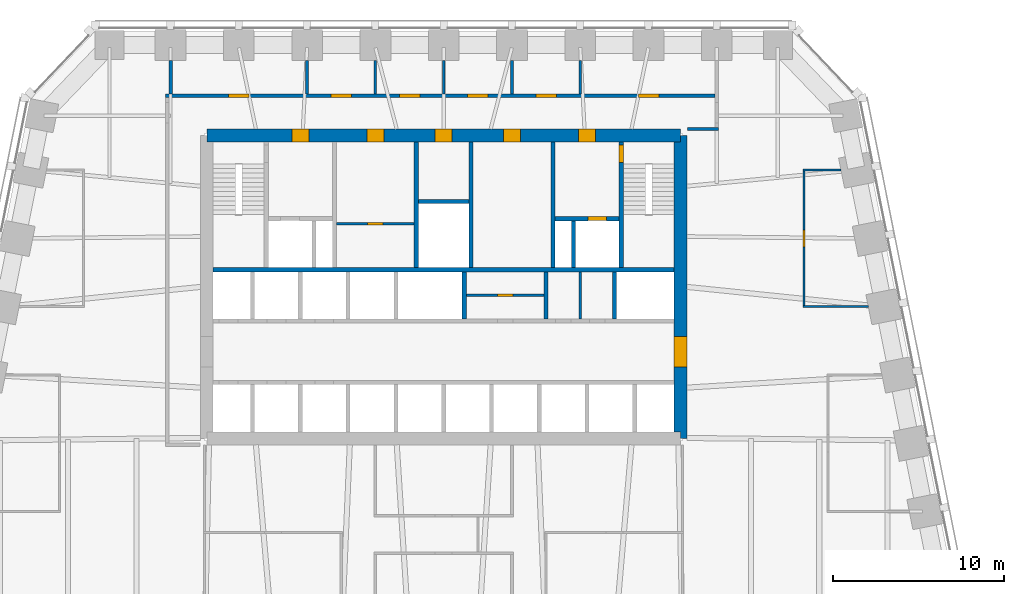
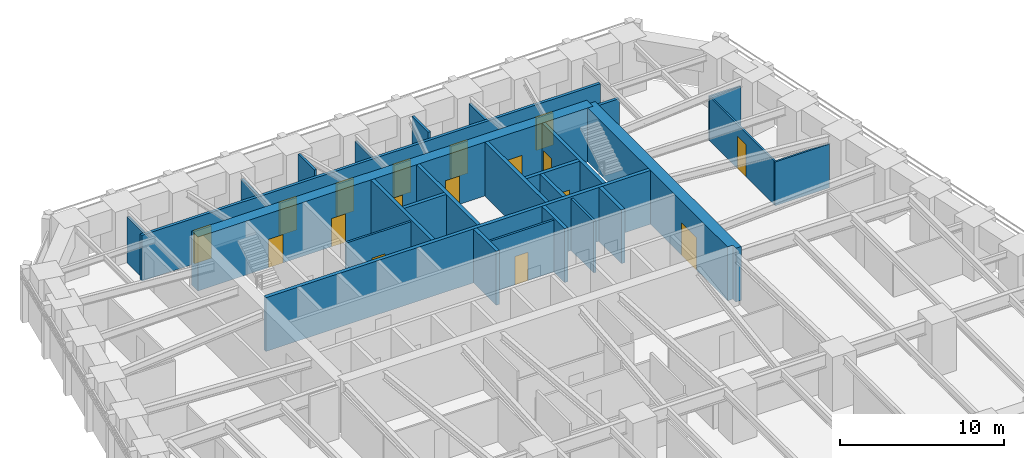
# One storey, part 7 of 10: 27 walls, 17 doors, 17 openings.
"""IFC4 building model written with IfcOpenShell, lengths in metres."""

from ifc_helpers import new_model, si_unit, direction, frame, frame_2d, origin, place, context, subcontext, project, spatial, polyline, rectangle, outline, extrude, material, layer, layer_set, type_object, element, fill, save


model = new_model("IFC4")

# Units and contexts
model_context = context("Model", 3, precision=1e-05, world=origin(), true_north=direction((0.0, 1.0)))
body_context = subcontext(model_context, "Body", "Model", "MODEL_VIEW")
ifc_project = project(units=[si_unit("LENGTHUNIT", "METRE"), si_unit("AREAUNIT", "SQUARE_METRE"), si_unit("VOLUMEUNIT", "CUBIC_METRE"), si_unit("PLANEANGLEUNIT", "RADIAN"), si_unit("MASSUNIT", "GRAM", prefix="KILO")], contexts=[model_context])

# Site, building, storey
site_placement = place(None, origin())
site = spatial("IfcSite", under=ifc_project, at=site_placement, CompositionType="ELEMENT")
building_placement = place(site_placement, origin())
building = spatial("IfcBuilding", under=site, at=building_placement, Name="Isbrekke Arena Tower", CompositionType="ELEMENT")
storey_placement = place(building_placement, frame((0.0, 0.0, 143.0)))
storey = spatial("IfcBuildingStorey", under=building, at=storey_placement, Name="L32", CompositionType="ELEMENT", Elevation=143.0)

# Wall, opening, door
ifc_material_1 = material(Name="Concrete B55 (C55/67)", Category="concrete")
ifc_layer_1 = layer(ifc_material_1, 0.75)
ifc_layer_set_1 = layer_set([ifc_layer_1], Name="CW3 CORE WALL 750")
wall_type_1 = type_object("IfcWallType", Name="CW3 CORE WALL 750", PredefinedType="SHEAR", material=ifc_layer_set_1)
wall_1_placement = place(storey_placement, frame((13.875, 6.125, 0.0), z_axis=(0.0, 0.0, 1.0), x_axis=(0.0, 1.0, 0.0)))
wall_1 = element("IfcWall", 1, at=wall_1_placement, inside=storey, type_object=wall_type_1, Name="Core wall E L32", PredefinedType="SHEAR", context=body_context, shape_type="SweptSolid", body=[
    extrude(outline(polyline([(0.0, -0.375), (17.75, -0.375), (17.75, 0.0), (17.375, 0.0), (17.375, 0.375), (0.375, 0.375), (0.375, 0.0), (0.0, 0.0), (0.0, -0.375)])), origin(), (0.0, 0.0, 1.0), 4.0),
])
opening_1_placement = place(wall_1_placement, frame((4.175048828125, 0.0, 0.0)))
opening_1 = element("IfcOpeningElement", 2, at=opening_1_placement, cuts=wall_1, Name="Opening D1", PredefinedType="OPENING", context=body_context, shape_type="SweptSolid", body=[
    extrude(rectangle(XDim=1.800048828125, YDim=2.39990234375, at=frame_2d((0.89990234375, 1.199951171875))), frame((0.0, 0.389892578125, 0.0), z_axis=(0.0, -1.0, 0.0), x_axis=(1.0, 0.0, 0.0)), (0.0, 0.0, 1.0), 0.77978515625),
])
ifc_material_2 = material(Name="Steel-framed glazed fire door", Category="steel")
door_type_1 = type_object("IfcDoorType", Name="D1 CORE LOBBY DOOR 1800 x 2400", OperationType="DOUBLE_DOOR_SINGLE_SWING", PredefinedType="DOOR", material=ifc_material_2)
door_1_placement = place(opening_1_placement, origin())
door_1 = element("IfcDoor", 3, at=door_1_placement, inside=storey, type_object=door_type_1, Name="D1 lift lobby door east L32", OperationType="DOUBLE_DOOR_SINGLE_SWING", OverallHeight=2.39990234375, OverallWidth=1.800048828125, PredefinedType="DOOR", context=body_context, shape_type="SweptSolid", body=[
    extrude(rectangle(XDim=1.800048828125, YDim=2.39990234375, at=frame_2d((0.89990234375, 1.199951171875))), frame((0.0, 0.374755859375, 0.0), z_axis=(0.0, -1.0, 0.0), x_axis=(1.0, 0.0, 0.0)), (0.0, 0.0, 1.0), 0.74951171875),
])
fill(opening_1, door_1)

# Wall, openings, doors
wall_2_placement = place(storey_placement, frame((13.875, 23.875, 0.0), z_axis=(0.0, 0.0, 1.0), x_axis=(-1.0, 0.0, 0.0)))
wall_2 = element("IfcWall", 4, at=wall_2_placement, inside=storey, type_object=wall_type_1, Name="Core wall N L32", PredefinedType="SHEAR", context=body_context, shape_type="SweptSolid", body=[
    extrude(rectangle(XDim=27.75, YDim=0.75, at=frame_2d((13.875, 0.0))), origin(), (0.0, 0.0, 1.0), 4.0),
])
opening_2_placement = place(wall_2_placement, frame((21.77490234375, 0.0, 0.0)))
opening_2 = element("IfcOpeningElement", 5, at=opening_2_placement, cuts=wall_2, Name="Opening D3", PredefinedType="OPENING", context=body_context, shape_type="SweptSolid", body=[
    extrude(rectangle(XDim=1.0, YDim=2.10009765625, at=frame_2d((0.5, 1.050048828125))), frame((0.0, 0.389892578125, 0.0), z_axis=(0.0, -1.0, 0.0), x_axis=(1.0, 0.0, 0.0)), (0.0, 0.0, 1.0), 0.77978515625),
])
opening_3_placement = place(wall_2_placement, frame((4.97509765625, 0.0, 0.0)))
opening_3 = element("IfcOpeningElement", 6, at=opening_3_placement, cuts=wall_2, Name="Opening D3", PredefinedType="OPENING", context=body_context, shape_type="SweptSolid", body=[
    extrude(rectangle(XDim=1.0, YDim=2.10009765625, at=frame_2d((0.5, 1.050048828125))), frame((0.0, 0.389892578125, 0.0), z_axis=(0.0, -1.0, 0.0), x_axis=(1.0, 0.0, 0.0)), (0.0, 0.0, 1.0), 0.77978515625),
])
opening_4_placement = place(wall_2_placement, frame((17.375, 0.0, 0.0)))
opening_4 = element("IfcOpeningElement", 7, at=opening_4_placement, cuts=wall_2, Name="Opening D4", PredefinedType="OPENING", context=body_context, shape_type="SweptSolid", body=[
    extrude(rectangle(XDim=1.0, YDim=2.10009765625, at=frame_2d((0.5, 1.050048828125))), frame((0.0, 0.389892578125, 0.0), z_axis=(0.0, -1.0, 0.0), x_axis=(1.0, 0.0, 0.0)), (0.0, 0.0, 1.0), 0.77978515625),
])
opening_5_placement = place(wall_2_placement, frame((13.375, 0.0, 0.0)))
opening_5 = element("IfcOpeningElement", 8, at=opening_5_placement, cuts=wall_2, Name="Opening D4", PredefinedType="OPENING", context=body_context, shape_type="SweptSolid", body=[
    extrude(rectangle(XDim=1.0, YDim=2.10009765625, at=frame_2d((0.5, 1.050048828125))), frame((0.0, 0.389892578125, 0.0), z_axis=(0.0, -1.0, 0.0), x_axis=(1.0, 0.0, 0.0)), (0.0, 0.0, 1.0), 0.77978515625),
])
opening_6_placement = place(wall_2_placement, frame((9.375, 0.0, 0.0)))
opening_6 = element("IfcOpeningElement", 9, at=opening_6_placement, cuts=wall_2, Name="Opening D4", PredefinedType="OPENING", context=body_context, shape_type="SweptSolid", body=[
    extrude(rectangle(XDim=1.0, YDim=2.10009765625, at=frame_2d((0.5, 1.050048828125))), frame((0.0, 0.389892578125, 0.0), z_axis=(0.0, -1.0, 0.0), x_axis=(1.0, 0.0, 0.0)), (0.0, 0.0, 1.0), 0.77978515625),
])
ifc_material_3 = material(Name="Steel fire door", Category="steel")
door_type_2 = type_object("IfcDoorType", Name="D3 FIRE LOBBY DOOR 1000 x 2100", OperationType="SINGLE_SWING_RIGHT", PredefinedType="DOOR", material=ifc_material_3)
door_2_placement = place(opening_2_placement, origin())
door_2 = element("IfcDoor", 10, at=door_2_placement, inside=storey, type_object=door_type_2, Name="D3 fire-fighting lobby door L32", OperationType="SINGLE_SWING_RIGHT", OverallHeight=2.10009765625, OverallWidth=1.0, PredefinedType="DOOR", context=body_context, shape_type="SweptSolid", body=[
    extrude(rectangle(XDim=1.0, YDim=2.10009765625, at=frame_2d((0.5, 1.050048828125))), frame((0.0, 0.374755859375, 0.0), z_axis=(0.0, -1.0, 0.0), x_axis=(1.0, 0.0, 0.0)), (0.0, 0.0, 1.0), 0.74951171875),
])
fill(opening_2, door_2)
door_3_placement = place(opening_3_placement, origin())
door_3 = element("IfcDoor", 11, at=door_3_placement, inside=storey, type_object=door_type_2, Name="D3 fire-fighting lobby door L32", OperationType="SINGLE_SWING_RIGHT", OverallHeight=2.10009765625, OverallWidth=1.0, PredefinedType="DOOR", context=body_context, shape_type="SweptSolid", body=[
    extrude(rectangle(XDim=1.0, YDim=2.10009765625, at=frame_2d((0.5, 1.050048828125))), frame((0.0, 0.374755859375, 0.0), z_axis=(0.0, -1.0, 0.0), x_axis=(1.0, 0.0, 0.0)), (0.0, 0.0, 1.0), 0.74951171875),
])
fill(opening_3, door_3)
ifc_material_4 = material(Name="Timber door", Category="wood")
door_type_3 = type_object("IfcDoorType", Name="D4 WC DOOR 1000 x 2100", OperationType="SINGLE_SWING_LEFT", PredefinedType="DOOR", material=ifc_material_4)
door_4_placement = place(opening_4_placement, origin())
door_4 = element("IfcDoor", 12, at=door_4_placement, inside=storey, type_object=door_type_3, Name="D4 wc female door L32", OperationType="SINGLE_SWING_LEFT", OverallHeight=2.10009765625, OverallWidth=1.0, PredefinedType="DOOR", context=body_context, shape_type="SweptSolid", body=[
    extrude(rectangle(XDim=1.0, YDim=2.10009765625, at=frame_2d((0.5, 1.050048828125))), frame((0.0, 0.374755859375, 0.0), z_axis=(0.0, -1.0, 0.0), x_axis=(1.0, 0.0, 0.0)), (0.0, 0.0, 1.0), 0.74951171875),
])
fill(opening_4, door_4)
door_5_placement = place(opening_5_placement, origin())
door_5 = element("IfcDoor", 13, at=door_5_placement, inside=storey, type_object=door_type_3, Name="D4 accessible wc door L32", OperationType="SINGLE_SWING_LEFT", OverallHeight=2.10009765625, OverallWidth=1.0, PredefinedType="DOOR", context=body_context, shape_type="SweptSolid", body=[
    extrude(rectangle(XDim=1.0, YDim=2.10009765625, at=frame_2d((0.5, 1.050048828125))), frame((0.0, 0.374755859375, 0.0), z_axis=(0.0, -1.0, 0.0), x_axis=(1.0, 0.0, 0.0)), (0.0, 0.0, 1.0), 0.74951171875),
])
fill(opening_5, door_5)
door_6_placement = place(opening_6_placement, origin())
door_6 = element("IfcDoor", 14, at=door_6_placement, inside=storey, type_object=door_type_3, Name="D4 wc male door L32", OperationType="SINGLE_SWING_LEFT", OverallHeight=2.10009765625, OverallWidth=1.0, PredefinedType="DOOR", context=body_context, shape_type="SweptSolid", body=[
    extrude(rectangle(XDim=1.0, YDim=2.10009765625, at=frame_2d((0.5, 1.050048828125))), frame((0.0, 0.374755859375, 0.0), z_axis=(0.0, -1.0, 0.0), x_axis=(1.0, 0.0, 0.0)), (0.0, 0.0, 1.0), 0.74951171875),
])
fill(opening_6, door_6)

# Walls
ifc_material_5 = material(Name="Concrete B45 (C45/55)", Category="concrete")
ifc_layer_2 = layer(ifc_material_5, 0.25)
ifc_layer_set_2 = layer_set([ifc_layer_2], Name="CW6 SHAFT WALL 250")
wall_type_2 = type_object("IfcWallType", Name="CW6 SHAFT WALL 250", PredefinedType="SHEAR", material=ifc_layer_set_2)
wall_3_placement = place(storey_placement, frame((-13.5, 16.0, 0.0), z_axis=(0.0, 0.0, 1.0), x_axis=(1.0, 0.0, 0.0)))
element("IfcWall", 15, at=wall_3_placement, inside=storey, type_object=wall_type_2, Name="Core wall NB L32", PredefinedType="SHEAR", context=body_context, shape_type="SweptSolid", body=[
    extrude(rectangle(XDim=27.0, YDim=0.25, at=frame_2d((13.5, 0.0))), origin(), (0.0, 0.0, 1.0), 4.0),
])
for number, where, z_axis, x_axis, name in (
    (16, (1.199951171875, 13.125, 0.0), (0.0, 0.0, 1.0), (0.0, 1.0, 0.0), "Core wall SN05 L32"),
    (17, (6.0, 13.125, 0.0), (0.0, 0.0, 1.0), (0.0, 1.0, 0.0), "Core wall SN06 L32"),
    (18, (10.0, 13.125, 0.0), (0.0, 0.0, 1.0), (0.0, 1.0, 0.0), "Core wall SN07 L32"),
):
    element("IfcWall", number, at=place(storey_placement, frame(where, z_axis=z_axis, x_axis=x_axis)), inside=storey, type_object=wall_type_2, Name=name, PredefinedType="SHEAR", context=body_context, shape_type="SweptSolid", body=[
        extrude(rectangle(XDim=2.75, YDim=0.25, at=frame_2d((1.375, 0.0))), origin(), (0.0, 0.0, 1.0), 4.0),
    ])
for number, where, z_axis, x_axis, name in (
    (19, (-1.60009765625, 16.125, 0.0), (0.0, 0.0, 1.0), (0.0, 1.0, 0.0), "Core wall NV03 L32"),
    (20, (1.60009765625, 16.125, 0.0), (0.0, 0.0, 1.0), (0.0, 1.0, 0.0), "Core wall NV04 L32"),
    (21, (6.39990234375, 16.125, 0.0), (0.0, 0.0, 1.0), (0.0, 1.0, 0.0), "Core wall NV05 L32"),
):
    element("IfcWall", number, at=place(storey_placement, frame(where, z_axis=z_axis, x_axis=x_axis)), inside=storey, type_object=wall_type_2, Name=name, PredefinedType="SHEAR", context=body_context, shape_type="SweptSolid", body=[
        extrude(rectangle(XDim=7.375, YDim=0.25, at=frame_2d((3.6875, 0.0))), origin(), (0.0, 0.0, 1.0), 4.0),
    ])

# Wall, opening, door
wall_4_placement = place(storey_placement, frame((10.39990234375, 16.125, 0.0), z_axis=(0.0, 0.0, 1.0), x_axis=(0.0, 1.0, 0.0)))
wall_4 = element("IfcWall", 22, at=wall_4_placement, inside=storey, type_object=wall_type_2, Name="Core wall NV06 L32", PredefinedType="SHEAR", context=body_context, shape_type="SweptSolid", body=[
    extrude(rectangle(XDim=7.375, YDim=0.25, at=frame_2d((3.6875, 0.0))), origin(), (0.0, 0.0, 1.0), 4.0),
])
opening_7_placement = place(wall_4_placement, frame((6.175048828125, 0.0, 0.0)))
opening_7 = element("IfcOpeningElement", 23, at=opening_7_placement, cuts=wall_4, Name="Opening D2", PredefinedType="OPENING", context=body_context, shape_type="SweptSolid", body=[
    extrude(rectangle(XDim=1.0, YDim=2.10009765625, at=frame_2d((0.5, 1.050048828125))), frame((0.0, 0.139892578125, 0.0), z_axis=(0.0, -1.0, 0.0), x_axis=(1.0, 0.0, 0.0)), (0.0, 0.0, 1.0), 0.27978515625),
])
ifc_material_6 = material(Name="Steel fire door", Category="steel")
door_type_4 = type_object("IfcDoorType", Name="D2 STAIR DOOR 1000 x 2100", OperationType="SINGLE_SWING_LEFT", PredefinedType="DOOR", material=ifc_material_6)
door_7_placement = place(opening_7_placement, origin())
door_7 = element("IfcDoor", 24, at=door_7_placement, inside=storey, type_object=door_type_4, Name="D2 stair door ST2 L32", OperationType="SINGLE_SWING_LEFT", OverallHeight=2.10009765625, OverallWidth=1.0, PredefinedType="DOOR", context=body_context, shape_type="SweptSolid", body=[
    extrude(rectangle(XDim=1.0, YDim=2.10009765625, at=frame_2d((0.5, 1.050048828125))), frame((0.0, 0.124755859375, 0.0), z_axis=(0.0, -1.0, 0.0), x_axis=(1.0, 0.0, 0.0)), (0.0, 0.0, 1.0), 0.24951171875),
])
fill(opening_7, door_7)

wall_5_placement = place(storey_placement, frame((6.52490234375, 19.0, 0.0), z_axis=(0.0, 0.0, 1.0), x_axis=(1.0, 0.0, 0.0)))
wall_5 = element("IfcWall", 25, at=wall_5_placement, inside=storey, type_object=wall_type_2, Name="Core wall NFE L32", PredefinedType="SHEAR", context=body_context, shape_type="SweptSolid", body=[
    extrude(rectangle(XDim=3.75, YDim=0.25, at=frame_2d((1.875, 0.0))), origin(), (0.0, 0.0, 1.0), 4.0),
])
opening_8_placement = place(wall_5_placement, frame((1.925048828125, 0.0, 0.0)))
opening_8 = element("IfcOpeningElement", 26, at=opening_8_placement, cuts=wall_5, Name="Opening LD2", PredefinedType="OPENING", context=body_context, shape_type="SweptSolid", body=[
    extrude(rectangle(XDim=1.10009765625, YDim=2.10009765625, at=frame_2d((0.550048828125, 1.050048828125))), frame((0.0, 0.139892578125, 0.0), z_axis=(0.0, -1.0, 0.0), x_axis=(1.0, 0.0, 0.0)), (0.0, 0.0, 1.0), 0.27978515625),
])
ifc_material_7 = material(Name="Stainless steel lift landing door", Category="steel")
door_type_5 = type_object("IfcDoorType", Name="LD2 FIRE-FIGHTING LIFT LANDING DOOR 1100 x 2100", OperationType="SLIDING_TO_RIGHT", PredefinedType="DOOR", material=ifc_material_7)
door_8_placement = place(opening_8_placement, origin())
door_8 = element("IfcDoor", 27, at=door_8_placement, inside=storey, type_object=door_type_5, Name="LD2 lift landing door LF L32", OperationType="SLIDING_TO_RIGHT", OverallHeight=2.10009765625, OverallWidth=1.10009765625, PredefinedType="DOOR", context=body_context, shape_type="SweptSolid", body=[
    extrude(rectangle(XDim=1.10009765625, YDim=2.10009765625, at=frame_2d((0.550048828125, 1.050048828125))), frame((0.0, 0.124755859375, 0.0), z_axis=(0.0, -1.0, 0.0), x_axis=(1.0, 0.0, 0.0)), (0.0, 0.0, 1.0), 0.24951171875),
])
fill(opening_8, door_8)

# Walls
wall_6_placement = place(storey_placement, frame((7.60009765625, 16.125, 0.0), z_axis=(0.0, 0.0, 1.0), x_axis=(0.0, 1.0, 0.0)))
element("IfcWall", 28, at=wall_6_placement, inside=storey, type_object=wall_type_2, Name="Core wall NFS2 L32", PredefinedType="SHEAR", context=body_context, shape_type="SweptSolid", body=[
    extrude(rectangle(XDim=2.75, YDim=0.25, at=frame_2d((1.375, 0.0))), origin(), (0.0, 0.0, 1.0), 4.0),
])
wall_7_placement = place(storey_placement, frame((-1.47509765625, 20.0, 0.0), z_axis=(0.0, 0.0, 1.0), x_axis=(1.0, 0.0, 0.0)))
element("IfcWall", 29, at=wall_7_placement, inside=storey, type_object=wall_type_2, Name="Core wall NWC L32", PredefinedType="SHEAR", context=body_context, shape_type="SweptSolid", body=[
    extrude(rectangle(XDim=2.9501953125, YDim=0.25, at=frame_2d((1.47509765625, 0.0))), origin(), (0.0, 0.0, 1.0), 4.0),
])
ifc_material_8 = material(Name="Gypsum board partition on steel studs", Category="steel")
ifc_layer_3 = layer(ifc_material_8, 0.14990234375)
ifc_layer_set_3 = layer_set([ifc_layer_3], Name="IW1 PARTITION 150")
wall_type_3 = type_object("IfcWallType", Name="IW1 PARTITION 150", PredefinedType="PARTITIONING", material=ifc_layer_set_3)
wall_8_placement = place(storey_placement, frame((-4.0, 26.300048828125, 0.0), z_axis=(0.0, 0.0, 1.0), x_axis=(0.0, 1.0, 0.0)))
element("IfcWall", 30, at=wall_8_placement, inside=storey, type_object=wall_type_3, Name="IW1 partition 150 L32", PredefinedType="PARTITIONING", context=body_context, shape_type="SweptSolid", body=[
    extrude(rectangle(XDim=1.974853515625, YDim=0.14990234375, at=frame_2d((0.9873046875, 0.0))), origin(), (0.0, 0.0, 1.0), 3.85009765625),
])
wall_9_placement = place(storey_placement, frame((0.0, 26.300048828125, 0.0), z_axis=(0.0, 0.0, 1.0), x_axis=(0.0, 1.0, 0.0)))
element("IfcWall", 31, at=wall_9_placement, inside=storey, type_object=wall_type_3, Name="IW1 partition 150 L32", PredefinedType="PARTITIONING", context=body_context, shape_type="SweptSolid", body=[
    extrude(rectangle(XDim=1.974853515625, YDim=0.14990234375, at=frame_2d((0.9873046875, 0.0))), origin(), (0.0, 0.0, 1.0), 3.39990234375),
])
ifc_material_9 = material(Name="Frameless glazed partition, laminated acoustic glass", Category="glass")
ifc_layer_4 = layer(ifc_material_9, 0.1201171875)
ifc_layer_set_4 = layer_set([ifc_layer_4], Name="IW2 GLAZED PARTITION 120")
wall_type_4 = type_object("IfcWallType", Name="IW2 GLAZED PARTITION 120", PredefinedType="PARTITIONING", material=ifc_layer_set_4)
wall_10_placement = place(storey_placement, frame((21.0400390625, 13.840087890625, 0.0), z_axis=(0.0, 0.0, 1.0), x_axis=(1.0, 0.0, 0.0)))
element("IfcWall", 32, at=wall_10_placement, inside=storey, type_object=wall_type_4, Name="IW2 glazed partition 120 L32", PredefinedType="PARTITIONING", context=body_context, shape_type="SweptSolid", body=[
    extrude(rectangle(XDim=3.832763671875, YDim=0.1201171875, at=frame_2d((1.91650390625, 0.0))), origin(), (0.0, 0.0, 1.0), 3.25),
])
wall_11_placement = place(storey_placement, frame((21.0400390625, 21.840087890625, 0.0), z_axis=(0.0, 0.0, 1.0), x_axis=(1.0, 0.0, 0.0)))
element("IfcWall", 33, at=wall_11_placement, inside=storey, type_object=wall_type_4, Name="IW2 glazed partition 120 L32", PredefinedType="PARTITIONING", context=body_context, shape_type="SweptSolid", body=[
    extrude(rectangle(XDim=2.232666015625, YDim=0.1201171875, at=frame_2d((1.1162109375, 0.0))), origin(), (0.0, 0.0, 1.0), 3.25),
])

# Wall, opening, door
wall_12_placement = place(storey_placement, frame((21.10009765625, 13.89990234375, 0.0), z_axis=(0.0, 0.0, 1.0), x_axis=(0.0, 1.0, 0.0)))
wall_12 = element("IfcWall", 34, at=wall_12_placement, inside=storey, type_object=wall_type_4, Name="IW2 glazed partition 120 L32", PredefinedType="PARTITIONING", context=body_context, shape_type="SweptSolid", body=[
    extrude(rectangle(XDim=7.880126953125, YDim=0.1201171875, at=frame_2d((3.93994140625, 0.0))), origin(), (0.0, 0.0, 1.0), 3.25),
])
opening_9_placement = place(wall_12_placement, frame((3.43994140625, 0.0, 0.0)))
opening_9 = element("IfcOpeningElement", 35, at=opening_9_placement, cuts=wall_12, Name="Opening D11", PredefinedType="OPENING", context=body_context, shape_type="SweptSolid", body=[
    extrude(rectangle(XDim=1.0, YDim=2.39990234375, at=frame_2d((0.5, 1.199951171875))), frame((0.0, 0.074951171875, 0.0), z_axis=(0.0, -1.0, 0.0), x_axis=(1.0, 0.0, 0.0)), (0.0, 0.0, 1.0), 0.14990234375),
])
ifc_material_10 = material(Name="Frameless glazed door", Category="glass")
door_type_6 = type_object("IfcDoorType", Name="D11 GLAZED MEETING ROOM DOOR 1000 x 2400", OperationType="SINGLE_SWING_RIGHT", PredefinedType="DOOR", material=ifc_material_10)
door_9_placement = place(opening_9_placement, origin())
door_9 = element("IfcDoor", 36, at=door_9_placement, inside=storey, type_object=door_type_6, Name="D11 project room door L32", OperationType="SINGLE_SWING_RIGHT", OverallHeight=2.39990234375, OverallWidth=1.0, PredefinedType="DOOR", context=body_context, shape_type="SweptSolid", body=[
    extrude(rectangle(XDim=1.0, YDim=2.39990234375, at=frame_2d((0.5, 1.199951171875))), frame((0.0, 0.059814453125, 0.0), z_axis=(0.0, -1.0, 0.0), x_axis=(1.0, 0.0, 0.0)), (0.0, 0.0, 1.0), 0.11962890625),
])
fill(opening_9, door_9)

# Wall
ifc_material_11 = material(Name="Gypsum board fire-cell wall on steel studs, two layers each side", Category="steel")
ifc_layer_5 = layer(ifc_material_11, 0.199951171875)
ifc_layer_set_5 = layer_set([ifc_layer_5], Name="IW3 FIRE-CELL WALL 200")
wall_type_5 = type_object("IfcWallType", Name="IW3 FIRE-CELL WALL 200", PredefinedType="PARTITIONING", material=ifc_layer_set_5)
wall_13_placement = place(storey_placement, frame((14.280029296875, 24.25, 0.0), z_axis=(0.0, 0.0, 1.0), x_axis=(1.0, 0.0, 0.0)))
element("IfcWall", 37, at=wall_13_placement, inside=storey, type_object=wall_type_5, Name="IW3 fire-cell wall 200 L32", PredefinedType="PARTITIONING", context=body_context, shape_type="SweptSolid", body=[
    extrude(rectangle(XDim=1.820068359375, YDim=0.199951171875, at=frame_2d((0.91015625, 0.0))), origin(), (0.0, 0.0, 1.0), 3.39990234375),
])

# Wall, openings, doors
wall_14_placement = place(storey_placement, frame((-16.300048828125, 26.199951171875, 0.0), z_axis=(0.0, 0.0, 1.0), x_axis=(1.0, 0.0, 0.0)))
wall_14 = element("IfcWall", 38, at=wall_14_placement, inside=storey, type_object=wall_type_5, Name="IW3 fire-cell wall 200 L32", PredefinedType="PARTITIONING", context=body_context, shape_type="SweptSolid", body=[
    extrude(rectangle(XDim=32.199951171875, YDim=0.199951171875, at=frame_2d((16.10009765625, 0.0))), origin(), (0.0, 0.0, 1.0), 3.39990234375),
])
opening_10_placement = place(wall_14_placement, frame((3.699951171875, 0.0, 0.0)))
opening_10 = element("IfcOpeningElement", 39, at=opening_10_placement, cuts=wall_14, Name="Opening D12", PredefinedType="OPENING", context=body_context, shape_type="SweptSolid", body=[
    extrude(rectangle(XDim=1.199951171875, YDim=2.39990234375, at=frame_2d((0.60009765625, 1.199951171875))), frame((0.0, 0.11474609375, 0.0), z_axis=(0.0, -1.0, 0.0), x_axis=(1.0, 0.0, 0.0)), (0.0, 0.0, 1.0), 0.229736328125),
])
opening_11_placement = place(wall_14_placement, frame((9.699951171875, 0.0, 0.0)))
opening_11 = element("IfcOpeningElement", 40, at=opening_11_placement, cuts=wall_14, Name="Opening D12", PredefinedType="OPENING", context=body_context, shape_type="SweptSolid", body=[
    extrude(rectangle(XDim=1.199951171875, YDim=2.39990234375, at=frame_2d((0.60009765625, 1.199951171875))), frame((0.0, 0.11474609375, 0.0), z_axis=(0.0, -1.0, 0.0), x_axis=(1.0, 0.0, 0.0)), (0.0, 0.0, 1.0), 0.229736328125),
])
opening_12_placement = place(wall_14_placement, frame((13.699951171875, 0.0, 0.0)))
opening_12 = element("IfcOpeningElement", 41, at=opening_12_placement, cuts=wall_14, Name="Opening D12", PredefinedType="OPENING", context=body_context, shape_type="SweptSolid", body=[
    extrude(rectangle(XDim=1.199951171875, YDim=2.39990234375, at=frame_2d((0.60009765625, 1.199951171875))), frame((0.0, 0.11474609375, 0.0), z_axis=(0.0, -1.0, 0.0), x_axis=(1.0, 0.0, 0.0)), (0.0, 0.0, 1.0), 0.229736328125),
])
opening_13_placement = place(wall_14_placement, frame((17.699951171875, 0.0, 0.0)))
opening_13 = element("IfcOpeningElement", 42, at=opening_13_placement, cuts=wall_14, Name="Opening D12", PredefinedType="OPENING", context=body_context, shape_type="SweptSolid", body=[
    extrude(rectangle(XDim=1.199951171875, YDim=2.39990234375, at=frame_2d((0.60009765625, 1.199951171875))), frame((0.0, 0.11474609375, 0.0), z_axis=(0.0, -1.0, 0.0), x_axis=(1.0, 0.0, 0.0)), (0.0, 0.0, 1.0), 0.229736328125),
])
opening_14_placement = place(wall_14_placement, frame((21.699951171875, 0.0, 0.0)))
opening_14 = element("IfcOpeningElement", 43, at=opening_14_placement, cuts=wall_14, Name="Opening D12", PredefinedType="OPENING", context=body_context, shape_type="SweptSolid", body=[
    extrude(rectangle(XDim=1.199951171875, YDim=2.39990234375, at=frame_2d((0.60009765625, 1.199951171875))), frame((0.0, 0.11474609375, 0.0), z_axis=(0.0, -1.0, 0.0), x_axis=(1.0, 0.0, 0.0)), (0.0, 0.0, 1.0), 0.229736328125),
])
opening_15_placement = place(wall_14_placement, frame((27.699951171875, 0.0, 0.0)))
opening_15 = element("IfcOpeningElement", 44, at=opening_15_placement, cuts=wall_14, Name="Opening D12", PredefinedType="OPENING", context=body_context, shape_type="SweptSolid", body=[
    extrude(rectangle(XDim=1.199951171875, YDim=2.39990234375, at=frame_2d((0.60009765625, 1.199951171875))), frame((0.0, 0.11474609375, 0.0), z_axis=(0.0, -1.0, 0.0), x_axis=(1.0, 0.0, 0.0)), (0.0, 0.0, 1.0), 0.229736328125),
])
ifc_material_12 = material(Name="Timber fire door with vision panel", Category="wood")
door_type_7 = type_object("IfcDoorType", Name="D12 SUITE ENTRANCE DOOR 1200 x 2400", OperationType="SINGLE_SWING_LEFT", PredefinedType="DOOR", material=ifc_material_12)
door_10_placement = place(opening_10_placement, origin())
door_10 = element("IfcDoor", 45, at=door_10_placement, inside=storey, type_object=door_type_7, Name="D12 project room door L32", OperationType="SINGLE_SWING_LEFT", OverallHeight=2.39990234375, OverallWidth=1.199951171875, PredefinedType="DOOR", context=body_context, shape_type="SweptSolid", body=[
    extrude(rectangle(XDim=1.199951171875, YDim=2.39990234375, at=frame_2d((0.60009765625, 1.199951171875))), frame((0.0, 0.099609375, 0.0), z_axis=(0.0, -1.0, 0.0), x_axis=(1.0, 0.0, 0.0)), (0.0, 0.0, 1.0), 0.199462890625),
])
fill(opening_10, door_10)
door_11_placement = place(opening_11_placement, origin())
door_11 = element("IfcDoor", 46, at=door_11_placement, inside=storey, type_object=door_type_7, Name="D12 focus room door L32", OperationType="SINGLE_SWING_LEFT", OverallHeight=2.39990234375, OverallWidth=1.199951171875, PredefinedType="DOOR", context=body_context, shape_type="SweptSolid", body=[
    extrude(rectangle(XDim=1.199951171875, YDim=2.39990234375, at=frame_2d((0.60009765625, 1.199951171875))), frame((0.0, 0.099609375, 0.0), z_axis=(0.0, -1.0, 0.0), x_axis=(1.0, 0.0, 0.0)), (0.0, 0.0, 1.0), 0.199462890625),
])
fill(opening_11, door_11)
door_12_placement = place(opening_12_placement, origin())
door_12 = element("IfcDoor", 47, at=door_12_placement, inside=storey, type_object=door_type_7, Name="D12 store door L32", OperationType="SINGLE_SWING_LEFT", OverallHeight=2.39990234375, OverallWidth=1.199951171875, PredefinedType="DOOR", context=body_context, shape_type="SweptSolid", body=[
    extrude(rectangle(XDim=1.199951171875, YDim=2.39990234375, at=frame_2d((0.60009765625, 1.199951171875))), frame((0.0, 0.099609375, 0.0), z_axis=(0.0, -1.0, 0.0), x_axis=(1.0, 0.0, 0.0)), (0.0, 0.0, 1.0), 0.199462890625),
])
fill(opening_12, door_12)
door_13_placement = place(opening_13_placement, origin())
door_13 = element("IfcDoor", 48, at=door_13_placement, inside=storey, type_object=door_type_7, Name="D12 focus room door L32", OperationType="SINGLE_SWING_LEFT", OverallHeight=2.39990234375, OverallWidth=1.199951171875, PredefinedType="DOOR", context=body_context, shape_type="SweptSolid", body=[
    extrude(rectangle(XDim=1.199951171875, YDim=2.39990234375, at=frame_2d((0.60009765625, 1.199951171875))), frame((0.0, 0.099609375, 0.0), z_axis=(0.0, -1.0, 0.0), x_axis=(1.0, 0.0, 0.0)), (0.0, 0.0, 1.0), 0.199462890625),
])
fill(opening_13, door_13)
door_14_placement = place(opening_14_placement, origin())
door_14 = element("IfcDoor", 49, at=door_14_placement, inside=storey, type_object=door_type_7, Name="D12 meeting room door L32", OperationType="SINGLE_SWING_LEFT", OverallHeight=2.39990234375, OverallWidth=1.199951171875, PredefinedType="DOOR", context=body_context, shape_type="SweptSolid", body=[
    extrude(rectangle(XDim=1.199951171875, YDim=2.39990234375, at=frame_2d((0.60009765625, 1.199951171875))), frame((0.0, 0.099609375, 0.0), z_axis=(0.0, -1.0, 0.0), x_axis=(1.0, 0.0, 0.0)), (0.0, 0.0, 1.0), 0.199462890625),
])
fill(opening_14, door_14)
door_15_placement = place(opening_15_placement, origin())
door_15 = element("IfcDoor", 50, at=door_15_placement, inside=storey, type_object=door_type_7, Name="D12 project room door L32", OperationType="SINGLE_SWING_LEFT", OverallHeight=2.39990234375, OverallWidth=1.199951171875, PredefinedType="DOOR", context=body_context, shape_type="SweptSolid", body=[
    extrude(rectangle(XDim=1.199951171875, YDim=2.39990234375, at=frame_2d((0.60009765625, 1.199951171875))), frame((0.0, 0.099609375, 0.0), z_axis=(0.0, -1.0, 0.0), x_axis=(1.0, 0.0, 0.0)), (0.0, 0.0, 1.0), 0.199462890625),
])
fill(opening_15, door_15)

# Walls
wall_15_placement = place(storey_placement, frame((-16.0, 26.300048828125, 0.0), z_axis=(0.0, 0.0, 1.0), x_axis=(0.0, 1.0, 0.0)))
element("IfcWall", 51, at=wall_15_placement, inside=storey, type_object=wall_type_5, Name="IW3 fire-cell wall 200 L32", PredefinedType="PARTITIONING", context=body_context, shape_type="SweptSolid", body=[
    extrude(rectangle(XDim=1.974853515625, YDim=0.199951171875, at=frame_2d((0.9873046875, 0.0))), origin(), (0.0, 0.0, 1.0), 3.39990234375),
])
ifc_material_13 = material(Name="Gypsum board acoustic partition on twin steel studs", Category="steel")
ifc_layer_6 = layer(ifc_material_13, 0.175048828125)
ifc_layer_set_6 = layer_set([ifc_layer_6], Name="IW4 ACOUSTIC PARTITION 175")
wall_type_6 = type_object("IfcWallType", Name="IW4 ACOUSTIC PARTITION 175", PredefinedType="PARTITIONING", material=ifc_layer_set_6)
wall_16_placement = place(storey_placement, frame((-8.0, 26.300048828125, 0.0), z_axis=(0.0, 0.0, 1.0), x_axis=(0.0, 1.0, 0.0)))
element("IfcWall", 52, at=wall_16_placement, inside=storey, type_object=wall_type_6, Name="IW4 acoustic partition 175 L32", PredefinedType="PARTITIONING", context=body_context, shape_type="SweptSolid", body=[
    extrude(rectangle(XDim=1.974853515625, YDim=0.175048828125, at=frame_2d((0.9873046875, 0.0))), origin(), (0.0, 0.0, 1.0), 3.39990234375),
])
wall_17_placement = place(storey_placement, frame((4.0, 26.300048828125, 0.0), z_axis=(0.0, 0.0, 1.0), x_axis=(0.0, 1.0, 0.0)))
element("IfcWall", 53, at=wall_17_placement, inside=storey, type_object=wall_type_6, Name="IW4 acoustic partition 175 L32", PredefinedType="PARTITIONING", context=body_context, shape_type="SweptSolid", body=[
    extrude(rectangle(XDim=1.974853515625, YDim=0.175048828125, at=frame_2d((0.9873046875, 0.0))), origin(), (0.0, 0.0, 1.0), 3.85009765625),
])
wall_18_placement = place(storey_placement, frame((8.0, 26.300048828125, 0.0), z_axis=(0.0, 0.0, 1.0), x_axis=(0.0, 1.0, 0.0)))
element("IfcWall", 54, at=wall_18_placement, inside=storey, type_object=wall_type_6, Name="IW4 acoustic partition 175 L32", PredefinedType="PARTITIONING", context=body_context, shape_type="SweptSolid", body=[
    extrude(rectangle(XDim=1.974853515625, YDim=0.175048828125, at=frame_2d((0.9873046875, 0.0))), origin(), (0.0, 0.0, 1.0), 3.39990234375),
])

# Wall, opening, door
ifc_material_14 = material(Name="Gypsum board fire-rated partition on steel studs, two layers each side", Category="steel")
ifc_layer_7 = layer(ifc_material_14, 0.14990234375)
ifc_layer_set_7 = layer_set([ifc_layer_7], Name="IW5 FIRE-RATED PARTITION 150")
wall_type_7 = type_object("IfcWallType", Name="IW5 FIRE-RATED PARTITION 150", PredefinedType="PARTITIONING", material=ifc_layer_set_7)
wall_19_placement = place(storey_placement, frame((-6.27490234375, 18.699951171875, 0.0), z_axis=(0.0, 0.0, 1.0), x_axis=(1.0, 0.0, 0.0)))
wall_19 = element("IfcWall", 55, at=wall_19_placement, inside=storey, type_object=wall_type_7, Name="IW5 fire-rated partition L32 cleaner's store F", PredefinedType="PARTITIONING", context=body_context, shape_type="SweptSolid", body=[
    extrude(rectangle(XDim=4.5498046875, YDim=0.14990234375, at=frame_2d((2.27490234375, 0.0))), origin(), (0.0, 0.0, 1.0), 3.85009765625),
])
opening_16_placement = place(wall_19_placement, frame((1.824951171875, 0.0, 0.0)))
opening_16 = element("IfcOpeningElement", 56, at=opening_16_placement, cuts=wall_19, Name="Opening D5", PredefinedType="OPENING", context=body_context, shape_type="SweptSolid", body=[
    extrude(rectangle(XDim=0.89990234375, YDim=2.10009765625, at=frame_2d((0.449951171875, 1.050048828125))), frame((0.0, 0.08984375, 0.0), z_axis=(0.0, -1.0, 0.0), x_axis=(1.0, 0.0, 0.0)), (0.0, 0.0, 1.0), 0.1796875),
])
ifc_material_15 = material(Name="Steel fire door", Category="steel")
door_type_8 = type_object("IfcDoorType", Name="D5 SERVICE DOOR 900 x 2100", OperationType="SINGLE_SWING_LEFT", PredefinedType="DOOR", material=ifc_material_15)
door_16_placement = place(opening_16_placement, origin())
door_16 = element("IfcDoor", 57, at=door_16_placement, inside=storey, type_object=door_type_8, Name="D5 cleaner's store door L32", OperationType="SINGLE_SWING_LEFT", OverallHeight=2.10009765625, OverallWidth=0.89990234375, PredefinedType="DOOR", context=body_context, shape_type="SweptSolid", body=[
    extrude(rectangle(XDim=0.89990234375, YDim=2.10009765625, at=frame_2d((0.449951171875, 1.050048828125))), frame((0.0, 0.07470703125, 0.0), z_axis=(0.0, -1.0, 0.0), x_axis=(1.0, 0.0, 0.0)), (0.0, 0.0, 1.0), 0.1494140625),
])
fill(opening_16, door_16)

wall_20_placement = place(storey_placement, frame((1.324951171875, 14.5, 0.0), z_axis=(0.0, 0.0, 1.0), x_axis=(1.0, 0.0, 0.0)))
wall_20 = element("IfcWall", 58, at=wall_20_placement, inside=storey, type_object=wall_type_7, Name="IW5 fire-rated partition L32 core service rooms 1", PredefinedType="PARTITIONING", context=body_context, shape_type="SweptSolid", body=[
    extrude(rectangle(XDim=4.550048828125, YDim=0.14990234375, at=frame_2d((2.27490234375, 0.0))), origin(), (0.0, 0.0, 1.0), 3.85009765625),
])
opening_17_placement = place(wall_20_placement, frame((1.824951171875, 0.0, 0.0)))
opening_17 = element("IfcOpeningElement", 59, at=opening_17_placement, cuts=wall_20, Name="Opening D5", PredefinedType="OPENING", context=body_context, shape_type="SweptSolid", body=[
    extrude(rectangle(XDim=0.89990234375, YDim=2.10009765625, at=frame_2d((0.449951171875, 1.050048828125))), frame((0.0, 0.08984375, 0.0), z_axis=(0.0, -1.0, 0.0), x_axis=(1.0, 0.0, 0.0)), (0.0, 0.0, 1.0), 0.1796875),
])
door_17_placement = place(opening_17_placement, origin())
door_17 = element("IfcDoor", 60, at=door_17_placement, inside=storey, type_object=door_type_8, Name="D5 store door L32", OperationType="SINGLE_SWING_LEFT", OverallHeight=2.10009765625, OverallWidth=0.89990234375, PredefinedType="DOOR", context=body_context, shape_type="SweptSolid", body=[
    extrude(rectangle(XDim=0.89990234375, YDim=2.10009765625, at=frame_2d((0.449951171875, 1.050048828125))), frame((0.0, 0.07470703125, 0.0), z_axis=(0.0, -1.0, 0.0), x_axis=(1.0, 0.0, 0.0)), (0.0, 0.0, 1.0), 0.1494140625),
])
fill(opening_17, door_17)

# Wall
wall_21_placement = place(storey_placement, frame((8.0, 13.125, 0.0), z_axis=(0.0, 0.0, 1.0), x_axis=(0.0, 1.0, 0.0)))
element("IfcWall", 61, at=wall_21_placement, inside=storey, type_object=wall_type_7, Name="IW5 fire-rated partition L32 core service rooms 2", PredefinedType="PARTITIONING", context=body_context, shape_type="SweptSolid", body=[
    extrude(rectangle(XDim=2.75, YDim=0.14990234375, at=frame_2d((1.375, 0.0))), origin(), (0.0, 0.0, 1.0), 3.85009765625),
])

save(model, "model.ifc")
